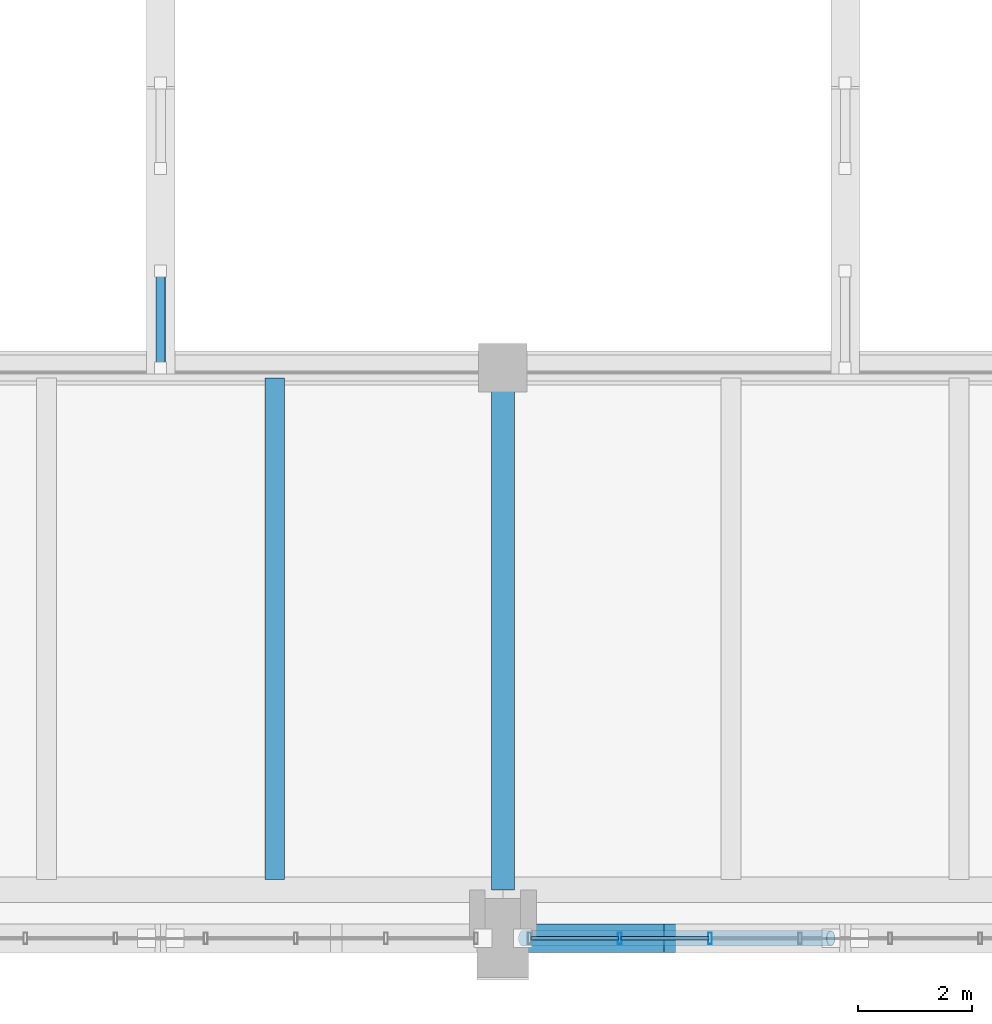
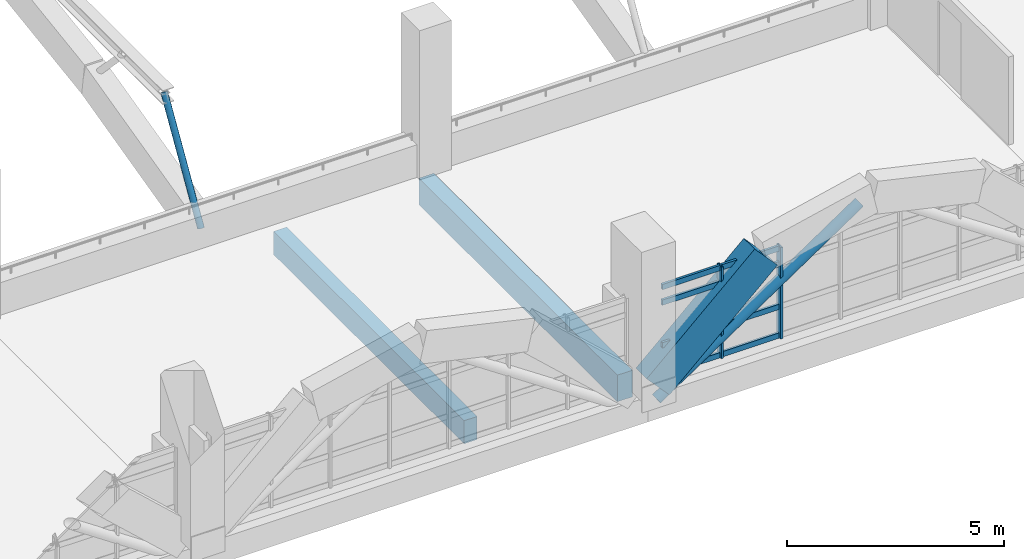
# One storey, part 23 of 161: 12 members, 3 beams, 1 element without a shape of its own.
"""IFC4 building model written with IfcOpenShell, lengths in metres."""

from ifc_helpers import new_model, si_unit, direction, frame, origin, origin_2d, place, context, subcontext, project, spatial, rectangle, hollow_rectangle, hollow_circle, extrude, material, layer, layer_set, material_profile, profile_set, type_object, element, aggregate, save


model = new_model("IFC4")

# Units and contexts
model_context = context("Model", 3, precision=1e-05, world=origin(), true_north=direction((0.0, 1.0)))
body_context = subcontext(model_context, "Body", "Model", "MODEL_VIEW")
ifc_project = project(units=[si_unit("LENGTHUNIT", "METRE"), si_unit("AREAUNIT", "SQUARE_METRE"), si_unit("VOLUMEUNIT", "CUBIC_METRE"), si_unit("PLANEANGLEUNIT", "RADIAN"), si_unit("MASSUNIT", "GRAM", prefix="KILO")], contexts=[model_context])

# Site, building, storey
site_placement = place(None, origin())
site = spatial("IfcSite", under=ifc_project, at=site_placement, CompositionType="ELEMENT")
building_placement = place(site_placement, origin())
building = spatial("IfcBuilding", under=site, at=building_placement, Name="Mersad Railyard Sports Hall", CompositionType="ELEMENT")
storey_placement = place(building_placement, frame((0.0, 0.0, 4.800048828125)))
storey = spatial("IfcBuildingStorey", under=building, at=storey_placement, Name="L01", CompositionType="ELEMENT", Elevation=4.800048828125)

# Curtain wall, members
ifc_material_1 = material(Name="Aluminium 6063-T6", Category="aluminium")
ifc_layer = layer(ifc_material_1, 0.199951171875)
ifc_layer_set = layer_set([ifc_layer], Name="Aluminium 6063-T6")
curtain_wall_type = type_object("IfcCurtainWallType", Name="ARC-CW-CW02", PredefinedType="USERDEFINED", material=ifc_layer_set)
curtain_wall_placement = place(storey_placement, origin())
curtain_wall = element("IfcCurtainWall", 1, at=curtain_wall_placement, inside=storey, type_object=curtain_wall_type, Name="Curtain wall CW02-0017", ObjectType="CURTAIN WALL", PredefinedType="USERDEFINED")
ifc_material_profile_1 = material_profile(ifc_material_1, hollow_rectangle(XDim=0.06494140625, YDim=0.199951171875, WallThickness=0.0048828125, at=origin_2d()), Name="AL MULLION 65x200x5")
ifc_profile_set_1 = profile_set([ifc_material_profile_1], Name="Aluminium 6063-T6")
member_type_1 = type_object("IfcMemberType", Name="ARC-CW-MUL02", PredefinedType="MULLION", material=ifc_profile_set_1)
member_1_placement = place(storey_placement, frame((70.6298828125, 3.5, -0.02001953125), z_axis=(0.0, 0.0, 1.0), x_axis=(1.0, 0.0, 0.0)))
member_1 = element("IfcMember", 2, at=member_1_placement, type_object=member_type_1, Name="CW02 Mullion 6", PredefinedType="MULLION", context=body_context, shape_type="SweptSolid", body=[
    extrude(hollow_rectangle(XDim=0.06494140625, YDim=0.199951171875, WallThickness=0.0048828125, at=origin_2d()), origin(), (0.0, 0.0, 1.0), 2.570068359375),
])
member_2_placement = place(storey_placement, frame((69.050048828125, 3.5, -0.02001953125), z_axis=(0.0, 0.0, 1.0), x_axis=(1.0, 0.0, 0.0)))
member_2 = element("IfcMember", 3, at=member_2_placement, type_object=member_type_1, Name="CW02 Mullion 7", PredefinedType="MULLION", context=body_context, shape_type="SweptSolid", body=[
    extrude(hollow_rectangle(XDim=0.06494140625, YDim=0.199951171875, WallThickness=0.0048828125, at=origin_2d()), origin(), (0.0, 0.0, 1.0), 2.570068359375),
])
ifc_material_profile_2 = material_profile(ifc_material_1, hollow_rectangle(XDim=0.06494140625, YDim=0.14990234375, WallThickness=0.00439453125, at=origin_2d()), Name="AL TRANSOM 65x150x4.5")
ifc_profile_set_2 = profile_set([ifc_material_profile_2], Name="Aluminium 6063-T6")
member_type_2 = type_object("IfcMemberType", Name="ARC-CW-TRN02", PredefinedType="USERDEFINED", material=ifc_profile_set_2)
member_3_placement = place(storey_placement, frame((70.610107421875, 3.5, 0.0400390625), z_axis=(-1.0, 0.0, 0.0), x_axis=(0.0, -1.0, 0.0)))
member_3 = element("IfcMember", 4, at=member_3_placement, type_object=member_type_2, Name="CW02 Transom 1-6", ObjectType="TRANSOM", PredefinedType="USERDEFINED", context=body_context, shape_type="SweptSolid", body=[
    extrude(hollow_rectangle(XDim=0.06494140625, YDim=0.14990234375, WallThickness=0.00439453125, at=origin_2d()), origin(), (0.0, 0.0, 1.0), 1.5400390625),
])
member_4_placement = place(storey_placement, frame((69.030029296875, 3.5, 0.0400390625), z_axis=(-1.0, 0.0, 0.0), x_axis=(0.0, -1.0, 0.0)))
member_4 = element("IfcMember", 5, at=member_4_placement, type_object=member_type_2, Name="CW02 Transom 1-7", ObjectType="TRANSOM", PredefinedType="USERDEFINED", context=body_context, shape_type="SweptSolid", body=[
    extrude(hollow_rectangle(XDim=0.06494140625, YDim=0.14990234375, WallThickness=0.00439453125, at=origin_2d()), origin(), (0.0, 0.0, 1.0), 1.5400390625),
])
member_5_placement = place(storey_placement, frame((70.610107421875, 3.5, 0.849853515625), z_axis=(-1.0, 0.0, 0.0), x_axis=(0.0, -1.0, 0.0)))
member_5 = element("IfcMember", 6, at=member_5_placement, type_object=member_type_2, Name="CW02 Transom 2-6", ObjectType="TRANSOM", PredefinedType="USERDEFINED", context=body_context, shape_type="SweptSolid", body=[
    extrude(hollow_rectangle(XDim=0.06494140625, YDim=0.14990234375, WallThickness=0.00439453125, at=origin_2d()), origin(), (0.0, 0.0, 1.0), 1.5400390625),
])
member_6_placement = place(storey_placement, frame((69.030029296875, 3.5, 0.849853515625), z_axis=(-1.0, 0.0, 0.0), x_axis=(0.0, -1.0, 0.0)))
member_6 = element("IfcMember", 7, at=member_6_placement, type_object=member_type_2, Name="CW02 Transom 2-7", ObjectType="TRANSOM", PredefinedType="USERDEFINED", context=body_context, shape_type="SweptSolid", body=[
    extrude(hollow_rectangle(XDim=0.06494140625, YDim=0.14990234375, WallThickness=0.00439453125, at=origin_2d()), origin(), (0.0, 0.0, 1.0), 1.5400390625),
])
member_7_placement = place(storey_placement, frame((70.610107421875, 3.5, 2.050048828125), z_axis=(-1.0, 0.0, 0.0), x_axis=(0.0, -1.0, 0.0)))
member_7 = element("IfcMember", 8, at=member_7_placement, type_object=member_type_2, Name="CW02 Transom 3-6", ObjectType="TRANSOM", PredefinedType="USERDEFINED", context=body_context, shape_type="SweptSolid", body=[
    extrude(hollow_rectangle(XDim=0.06494140625, YDim=0.14990234375, WallThickness=0.00439453125, at=origin_2d()), origin(), (0.0, 0.0, 1.0), 1.5400390625),
])
member_8_placement = place(storey_placement, frame((69.030029296875, 3.5, 2.050048828125), z_axis=(-1.0, 0.0, 0.0), x_axis=(0.0, -1.0, 0.0)))
member_8 = element("IfcMember", 9, at=member_8_placement, type_object=member_type_2, Name="CW02 Transom 3-7", ObjectType="TRANSOM", PredefinedType="USERDEFINED", context=body_context, shape_type="SweptSolid", body=[
    extrude(hollow_rectangle(XDim=0.06494140625, YDim=0.14990234375, WallThickness=0.00439453125, at=origin_2d()), origin(), (0.0, 0.0, 1.0), 1.5400390625),
])
member_9_placement = place(storey_placement, frame((70.610107421875, 3.5, 2.489990234375), z_axis=(-1.0, 0.0, 0.0), x_axis=(0.0, -1.0, 0.0)))
member_9 = element("IfcMember", 10, at=member_9_placement, type_object=member_type_2, Name="CW02 Transom 4-6", ObjectType="TRANSOM", PredefinedType="USERDEFINED", context=body_context, shape_type="SweptSolid", body=[
    extrude(hollow_rectangle(XDim=0.06494140625, YDim=0.14990234375, WallThickness=0.00439453125, at=origin_2d()), origin(), (0.0, 0.0, 1.0), 1.5400390625),
])
member_10_placement = place(storey_placement, frame((69.030029296875, 3.5, 2.489990234375), z_axis=(-1.0, 0.0, 0.0), x_axis=(0.0, -1.0, 0.0)))
member_10 = element("IfcMember", 11, at=member_10_placement, type_object=member_type_2, Name="CW02 Transom 4-7", ObjectType="TRANSOM", PredefinedType="USERDEFINED", context=body_context, shape_type="SweptSolid", body=[
    extrude(hollow_rectangle(XDim=0.06494140625, YDim=0.14990234375, WallThickness=0.00439453125, at=origin_2d()), origin(), (0.0, 0.0, 1.0), 1.5400390625),
])
aggregate(curtain_wall, [member_1, member_2, member_3, member_4, member_5, member_6, member_7, member_8, member_9, member_10])

# Beams
ifc_material_2 = material(Name="Concrete C40/50", Category="concrete")
ifc_material_profile_3 = material_profile(ifc_material_2, rectangle(XDim=0.39990234375, YDim=0.75, at=origin_2d()), Name="RC 400x750")
ifc_profile_set_3 = profile_set([ifc_material_profile_3], Name="Concrete C40/50")
beam_type_1 = type_object("IfcBeamType", Name="STR-BM-B01", PredefinedType="BEAM", material=ifc_profile_set_3)
beam_1_placement = place(storey_placement, frame((67.0, 4.35009765625, -0.655029296875), z_axis=(0.0, 1.0, 0.0), x_axis=(-1.0, 0.0, 0.0)))
element("IfcBeam", 12, at=beam_1_placement, inside=storey, type_object=beam_type_1, Name="Beam B01-0298", PredefinedType="BEAM", context=body_context, shape_type="SweptSolid", body=[
    extrude(rectangle(XDim=0.39990234375, YDim=0.75, at=origin_2d()), origin(), (0.0, 0.0, 1.0), 9.14990234375),
])
ifc_material_profile_4 = material_profile(ifc_material_2, rectangle(XDim=0.35009765625, YDim=0.64990234375, at=origin_2d()), Name="RC 350x650")
ifc_profile_set_4 = profile_set([ifc_material_profile_4], Name="Concrete C40/50")
beam_type_2 = type_object("IfcBeamType", Name="STR-BM-J01", PredefinedType="JOIST", material=ifc_profile_set_4)
beam_2_placement = place(storey_placement, frame((63.0, 4.530029296875, -0.60498046875), z_axis=(0.0, 1.0, 0.0), x_axis=(-1.0, 0.0, 0.0)))
element("IfcBeam", 13, at=beam_2_placement, inside=storey, type_object=beam_type_2, Name="Beam J01-0401", PredefinedType="JOIST", context=body_context, shape_type="SweptSolid", body=[
    extrude(rectangle(XDim=0.35009765625, YDim=0.64990234375, at=origin_2d()), origin(), (0.0, 0.0, 1.0), 8.7900390625),
])
ifc_material_3 = material(Name="Architectural concrete C50/60", Category="concrete")
ifc_material_profile_5 = material_profile(ifc_material_3, rectangle(XDim=0.5, YDim=0.89990234375, at=origin_2d()), Name="VR 500x900")
ifc_profile_set_5 = profile_set([ifc_material_profile_5], Name="Architectural concrete C50/60")
beam_type_3 = type_object("IfcBeamType", Name="STR-BM-VR02", PredefinedType="BEAM", material=ifc_profile_set_5)
beam_3_placement = place(storey_placement, frame((67.25, 3.5, -0.10009765625), z_axis=(0.735617187873, 0.0, 0.677397485164), x_axis=(0.0, 1.0, 0.0)))
element("IfcBeam", 14, at=beam_3_placement, inside=storey, type_object=beam_type_3, Name="Beam VR02-0376", PredefinedType="BEAM", context=body_context, shape_type="SweptSolid", body=[
    extrude(rectangle(XDim=0.5, YDim=0.89990234375, at=origin_2d()), origin(), (0.0, 0.0, 1.0), 3.908203125),
])

# Members
ifc_material_4 = material(Name="Steel S355", Category="steel")
ifc_material_profile_6 = material_profile(ifc_material_4, hollow_circle(Radius=0.136474609375, WallThickness=0.012451171875, at=origin_2d()), Name="CHS 273x12.5")
ifc_profile_set_6 = profile_set([ifc_material_profile_6], Name="Steel S355")
member_type_3 = type_object("IfcMemberType", Name="STR-MEM-BR02", PredefinedType="BRACE", material=ifc_profile_set_6)
member_11_placement = place(storey_placement, frame((67.35009765625, 3.5, -0.6201171875), z_axis=(0.829190125257, 0.0, 0.558966668215), x_axis=(0.0, 1.0, 0.0)))
element("IfcMember", 15, at=member_11_placement, inside=storey, type_object=member_type_3, Name="Structural member BR02-0021", PredefinedType="BRACE", context=body_context, shape_type="SweptSolid", body=[
    extrude(hollow_circle(Radius=0.136474609375, WallThickness=0.012451171875, at=origin_2d()), origin(), (0.0, 0.0, 1.0), 6.51220703125),
])
ifc_material_profile_7 = material_profile(ifc_material_4, hollow_circle(Radius=0.084228515625, WallThickness=0.008056640625, at=origin_2d()), Name="CHS 168.3x8")
ifc_profile_set_7 = profile_set([ifc_material_profile_7], Name="Steel S355")
member_type_4 = type_object("IfcMemberType", Name="STR-MEM-BR03", PredefinedType="BRACE", material=ifc_profile_set_7)
member_12_placement = place(storey_placement, frame((61.0, 13.5, 0.339599609375), z_axis=(0.0, 0.517575030521, 0.855637825123), x_axis=(-1.0, 0.0, 0.0)))
element("IfcMember", 16, at=member_12_placement, inside=storey, type_object=member_type_4, Name="Structural member BR03-0080", PredefinedType="BRACE", context=body_context, shape_type="SweptSolid", body=[
    extrude(hollow_circle(Radius=0.084228515625, WallThickness=0.008056640625, at=origin_2d()), origin(), (0.0, 0.0, 1.0), 3.284423828125),
])

save(model, "model.ifc")
